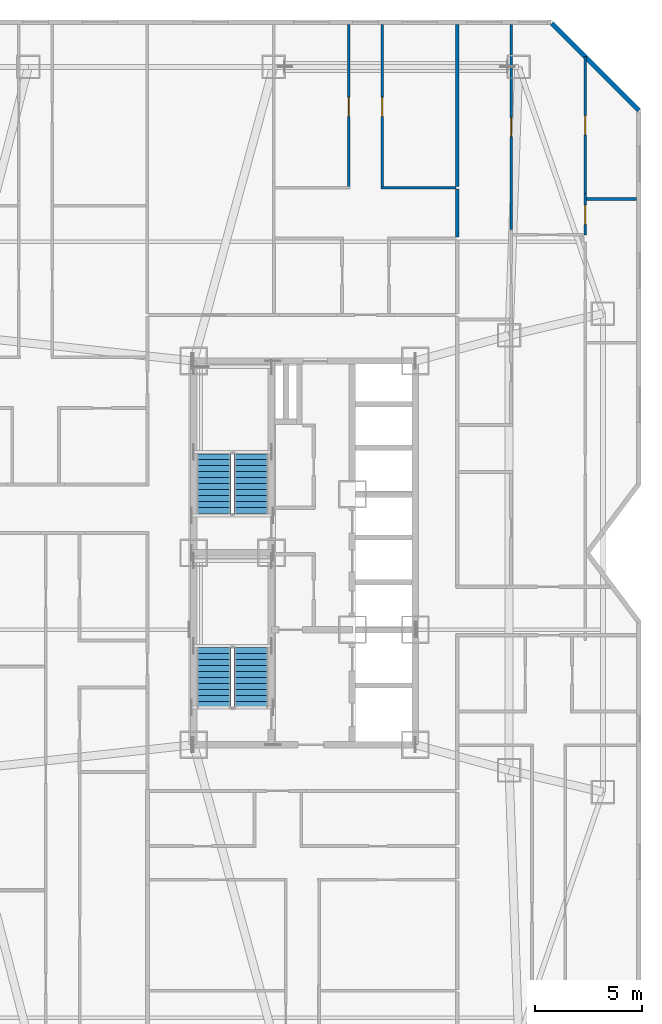
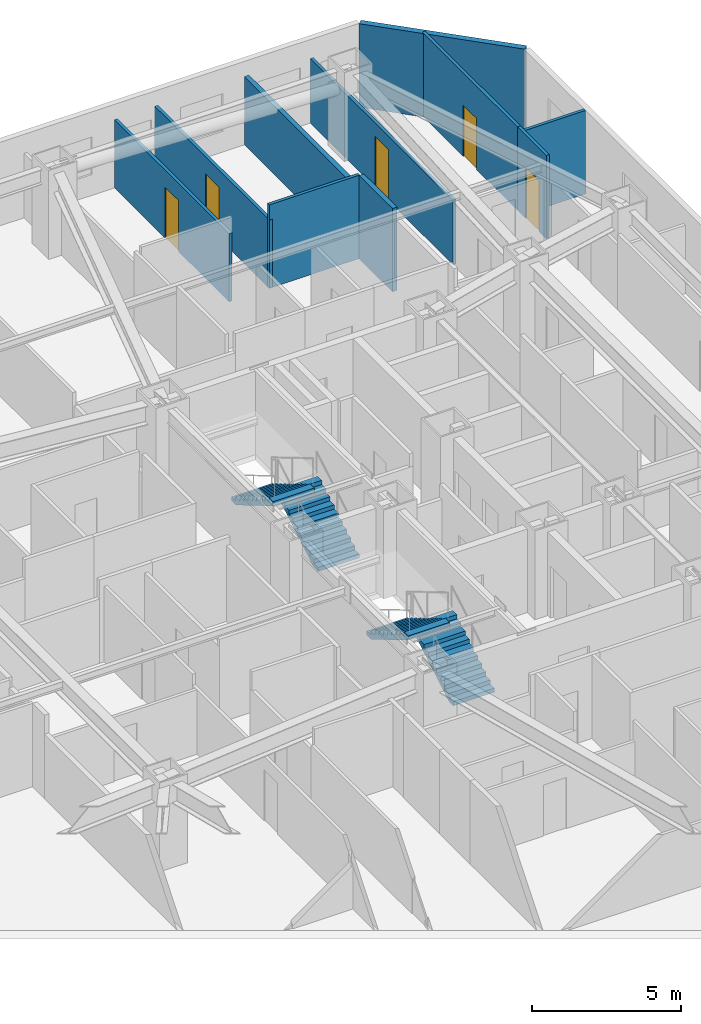
# One storey, part 17 of 18: 10 walls, 5 doors, 4 stair flights, 5 openings, 2 elements without a shape of their own.
"""IFC4 building model written with IfcOpenShell, lengths in metres."""

from ifc_helpers import new_model, si_unit, direction, frame, frame_2d, origin, place, context, subcontext, project, spatial, polyline, rectangle, outline, extrude, material, layer, layer_set, type_object, element, fill, aggregate, save


model = new_model("IFC4")

# Units and contexts
model_context = context("Model", 3, precision=1e-05, world=origin(), true_north=direction((0.0, 1.0)))
body_context = subcontext(model_context, "Body", "Model", "MODEL_VIEW")
ifc_project = project(units=[si_unit("LENGTHUNIT", "METRE"), si_unit("AREAUNIT", "SQUARE_METRE"), si_unit("VOLUMEUNIT", "CUBIC_METRE"), si_unit("PLANEANGLEUNIT", "RADIAN"), si_unit("MASSUNIT", "GRAM", prefix="KILO")], contexts=[model_context])

# Site, building, storey
site_placement = place(None, origin())
site = spatial("IfcSite", under=ifc_project, at=site_placement, CompositionType="ELEMENT")
building_placement = place(site_placement, origin())
building = spatial("IfcBuilding", under=site, at=building_placement, Name="Khamvora Tower", CompositionType="ELEMENT")
storey_placement = place(building_placement, frame((0.0, 0.0, 69.800048828125)))
storey = spatial("IfcBuildingStorey", under=building, at=storey_placement, Name="L17", CompositionType="ELEMENT", Elevation=69.800048828125)

# Walls
ifc_material_1 = material(Name="Acoustic Double-Stud Fire Wall", Category="gypsum")
ifc_layer_1 = layer(ifc_material_1, 0.179931640625)
ifc_layer_set_1 = layer_set([ifc_layer_1], Name="Acoustic Double-Stud Fire Wall")
wall_type_1 = type_object("IfcWallType", Name="WAL-CORR-180", PredefinedType="STANDARD", material=ifc_layer_set_1)
wall_1_placement = place(storey_placement, frame((41.364990234375, 45.06005859375, 0.0), z_axis=(0.0, 0.0, 1.0), x_axis=(0.0, -1.0, 0.0)))
element("IfcWall", 1, at=wall_1_placement, inside=storey, type_object=wall_type_1, Name="L17 interior partition wall 134", PredefinedType="STANDARD", context=body_context, shape_type="SweptSolid", body=[
    extrude(rectangle(XDim=2.25, YDim=0.179931640625, at=frame_2d((1.125, 0.0))), origin(), (0.0, 0.0, 1.0), 3.429931640625),
])
wall_2_placement = place(storey_placement, frame((41.364990234375, 52.7880859375, 0.0), z_axis=(0.0, 0.0, 1.0), x_axis=(0.0, -1.0, 0.0)))
element("IfcWall", 2, at=wall_2_placement, inside=storey, type_object=wall_type_1, Name="L17 interior partition wall 136", PredefinedType="STANDARD", context=body_context, shape_type="SweptSolid", body=[
    extrude(rectangle(XDim=7.59814453125, YDim=0.179931640625, at=frame_2d((3.799072265625, 0.0))), origin(), (0.0, 0.0, 1.0), 2.802978515625),
])
ifc_material_2 = material(Name="Precast concrete C40/50", Category="concrete")
ifc_layer_2 = layer(ifc_material_2, 0.219970703125)
ifc_layer_set_2 = layer_set([ifc_layer_2], Name="Precast concrete C40/50")
wall_type_2 = type_object("IfcWallType", Name="WAL-EXT-220", PredefinedType="STANDARD", material=ifc_layer_set_2)
wall_3_placement = place(storey_placement, frame((45.802001953125, 52.842041015625, 0.0), z_axis=(0.0, 0.0, 1.0), x_axis=(0.707085666273, -0.70712789547, 0.0)))
element("IfcWall", 3, at=wall_3_placement, inside=storey, type_object=wall_type_2, Name="L17 exterior facade wall 08.1", PredefinedType="STANDARD", context=body_context, shape_type="SweptSolid", body=[
    extrude(rectangle(XDim=5.78125, YDim=0.219970703125, at=frame_2d((2.890625, 0.0))), origin(), (0.0, 0.0, 1.0), 3.429931640625),
])

# Wall, opening, door
ifc_material_3 = material(Name="Gypsum Plasterboard Partition", Category="gypsum")
ifc_layer_3 = layer(ifc_material_3, 0.1201171875)
ifc_layer_set_3 = layer_set([ifc_layer_3], Name="Gypsum Plasterboard Partition")
wall_type_3 = type_object("IfcWallType", Name="WAL-PART-120", PredefinedType="PARTITIONING", material=ifc_layer_set_3)
wall_4_placement = place(storey_placement, frame((36.280029296875, 45.06005859375, 0.0), z_axis=(0.0, 0.0, 1.0), x_axis=(0.0, 1.0, 0.0)))
wall_4 = element("IfcWall", 4, at=wall_4_placement, inside=storey, type_object=wall_type_3, Name="L17 interior partition wall 131", PredefinedType="PARTITIONING", context=body_context, shape_type="SweptSolid", body=[
    extrude(rectangle(XDim=7.72802734375, YDim=0.1201171875, at=frame_2d((3.864013671875, 0.0))), origin(), (0.0, 0.0, 1.0), 2.802978515625),
])
opening_1_placement = place(wall_4_placement, frame((3.4140625, 0.0, 0.0)))
opening_1 = element("IfcOpeningElement", 5, at=opening_1_placement, cuts=wall_4, Name="Opening D-RM1", PredefinedType="OPENING", context=body_context, shape_type="SweptSolid", body=[
    extrude(rectangle(XDim=0.89990234375, YDim=2.10009765625, at=frame_2d((0.449951171875, 1.050048828125))), frame((0.0, 0.070068359375, 0.0), z_axis=(0.0, -1.0, 0.0), x_axis=(1.0, 0.0, 0.0)), (0.0, 0.0, 1.0), 0.14013671875),
])
ifc_material_4 = material(Name="Powder-Coated Steel and Hardwood Leaf", Category="steel")
door_type = type_object("IfcDoorType", Name="DOR-ROOM-900", OperationType="NOTDEFINED", PredefinedType="DOOR", material=ifc_material_4)
door_1_placement = place(opening_1_placement, origin())
door_1 = element("IfcDoor", 6, at=door_1_placement, inside=storey, type_object=door_type, Name="L17 interior door 17NAH-17NAL", OperationType="SINGLE_SWING_RIGHT", OverallHeight=2.10009765625, OverallWidth=0.89990234375, PredefinedType="DOOR", context=body_context, shape_type="SweptSolid", body=[
    extrude(rectangle(XDim=0.89990234375, YDim=2.10009765625, at=frame_2d((0.449951171875, 1.050048828125))), frame((0.0, 0.02490234375, 0.0), z_axis=(0.0, -1.0, 0.0), x_axis=(1.0, 0.0, 0.0)), (0.0, 0.0, 1.0), 0.050048828125),
])
fill(opening_1, door_1)

wall_5_placement = place(storey_placement, frame((37.85009765625, 52.7880859375, 0.0), z_axis=(0.0, 0.0, 1.0), x_axis=(0.0, -1.0, 0.0)))
wall_5 = element("IfcWall", 7, at=wall_5_placement, inside=storey, type_object=wall_type_3, Name="L17 interior partition wall 132", PredefinedType="PARTITIONING", context=body_context, shape_type="SweptSolid", body=[
    extrude(rectangle(XDim=7.72802734375, YDim=0.1201171875, at=frame_2d((3.864013671875, 0.0))), origin(), (0.0, 0.0, 1.0), 2.802978515625),
])
opening_2_placement = place(wall_5_placement, frame((3.4140625, 0.0, 0.0)))
opening_2 = element("IfcOpeningElement", 8, at=opening_2_placement, cuts=wall_5, Name="Opening D-RM1", PredefinedType="OPENING", context=body_context, shape_type="SweptSolid", body=[
    extrude(rectangle(XDim=0.89990234375, YDim=2.10009765625, at=frame_2d((0.449951171875, 1.050048828125))), frame((0.0, 0.070068359375, 0.0), z_axis=(0.0, -1.0, 0.0), x_axis=(1.0, 0.0, 0.0)), (0.0, 0.0, 1.0), 0.14013671875),
])
door_2_placement = place(opening_2_placement, origin())
door_2 = element("IfcDoor", 9, at=door_2_placement, inside=storey, type_object=door_type, Name="L17 interior door 17NAH-17NAR2", OperationType="SINGLE_SWING_LEFT", OverallHeight=2.10009765625, OverallWidth=0.89990234375, PredefinedType="DOOR", context=body_context, shape_type="SweptSolid", body=[
    extrude(rectangle(XDim=0.89990234375, YDim=2.10009765625, at=frame_2d((0.449951171875, 1.050048828125))), frame((0.0, 0.02490234375, 0.0), z_axis=(0.0, -1.0, 0.0), x_axis=(1.0, 0.0, 0.0)), (0.0, 0.0, 1.0), 0.050048828125),
])
fill(opening_2, door_2)

# Wall
wall_6_placement = place(storey_placement, frame((37.784912109375, 45.125, 0.0), z_axis=(0.0, 0.0, 1.0), x_axis=(1.0, 0.0, 0.0)))
element("IfcWall", 10, at=wall_6_placement, inside=storey, type_object=wall_type_3, Name="L17 interior partition wall 133", PredefinedType="PARTITIONING", context=body_context, shape_type="SweptSolid", body=[
    extrude(rectangle(XDim=3.51513671875, YDim=0.1201171875, at=frame_2d((1.757568359375, 0.0))), origin(), (0.0, 0.0, 1.0), 3.429931640625),
])

# Wall, opening, door
wall_7_placement = place(storey_placement, frame((43.89501953125, 52.7880859375, 0.0), z_axis=(0.0, 0.0, 1.0), x_axis=(0.0, -1.0, 0.0)))
wall_7 = element("IfcWall", 11, at=wall_7_placement, inside=storey, type_object=wall_type_3, Name="L17 interior partition wall 146", PredefinedType="PARTITIONING", context=body_context, shape_type="SweptSolid", body=[
    extrude(rectangle(XDim=9.6201171875, YDim=0.1201171875, at=frame_2d((4.81005859375, 0.0))), origin(), (0.0, 0.0, 1.0), 2.64697265625),
])
opening_3_placement = place(wall_7_placement, frame((4.360107421875, 0.0, 0.0)))
opening_3 = element("IfcOpeningElement", 12, at=opening_3_placement, cuts=wall_7, Name="Opening D-RM1", PredefinedType="OPENING", context=body_context, shape_type="SweptSolid", body=[
    extrude(rectangle(XDim=0.89990234375, YDim=2.10009765625, at=frame_2d((0.449951171875, 1.050048828125))), frame((0.0, 0.070068359375, 0.0), z_axis=(0.0, -1.0, 0.0), x_axis=(1.0, 0.0, 0.0)), (0.0, 0.0, 1.0), 0.14013671875),
])
door_3_placement = place(opening_3_placement, origin())
door_3 = element("IfcDoor", 13, at=door_3_placement, inside=storey, type_object=door_type, Name="L17 interior door 17EBW2-17EBD", OperationType="SINGLE_SWING_LEFT", OverallHeight=2.10009765625, OverallWidth=0.89990234375, PredefinedType="DOOR", context=body_context, shape_type="SweptSolid", body=[
    extrude(rectangle(XDim=0.89990234375, YDim=2.10009765625, at=frame_2d((0.449951171875, 1.050048828125))), frame((0.0, 0.02490234375, 0.0), z_axis=(0.0, -1.0, 0.0), x_axis=(1.0, 0.0, 0.0)), (0.0, 0.0, 1.0), 0.050048828125),
])
fill(opening_3, door_3)

wall_8_placement = place(storey_placement, frame((47.375, 44.85205078125, 0.0), z_axis=(0.0, 0.0, 1.0), x_axis=(0.0, -1.0, 0.0)))
wall_8 = element("IfcWall", 14, at=wall_8_placement, inside=storey, type_object=wall_type_3, Name="L17 interior partition wall 156", PredefinedType="PARTITIONING", context=body_context, shape_type="SweptSolid", body=[
    extrude(rectangle(XDim=1.93310546875, YDim=0.1201171875, at=frame_2d((0.966552734375, 0.0))), origin(), (0.0, 0.0, 1.0), 3.429931640625),
])
opening_4_placement = place(wall_8_placement, frame((0.5380859375, 0.0, 0.0)))
opening_4 = element("IfcOpeningElement", 15, at=opening_4_placement, cuts=wall_8, Name="Opening D-RM1", PredefinedType="OPENING", context=body_context, shape_type="SweptSolid", body=[
    extrude(rectangle(XDim=0.89990234375, YDim=2.10009765625, at=frame_2d((0.449951171875, 1.050048828125))), frame((0.0, 0.070068359375, 0.0), z_axis=(0.0, -1.0, 0.0), x_axis=(1.0, 0.0, 0.0)), (0.0, 0.0, 1.0), 0.14013671875),
])
door_4_placement = place(opening_4_placement, origin())
door_4 = element("IfcDoor", 16, at=door_4_placement, inside=storey, type_object=door_type, Name="L17 interior door 17EBD-17EBR2", OperationType="SINGLE_SWING_LEFT", OverallHeight=2.10009765625, OverallWidth=0.89990234375, PredefinedType="DOOR", context=body_context, shape_type="SweptSolid", body=[
    extrude(rectangle(XDim=0.89990234375, YDim=2.10009765625, at=frame_2d((0.449951171875, 1.050048828125))), frame((0.0, 0.02490234375, 0.0), z_axis=(0.0, -1.0, 0.0), x_axis=(1.0, 0.0, 0.0)), (0.0, 0.0, 1.0), 0.050048828125),
])
fill(opening_4, door_4)

wall_9_placement = place(storey_placement, frame((47.375, 51.278076171875, 0.0), z_axis=(0.0, 0.0, 1.0), x_axis=(0.0, -1.0, 0.0)))
wall_9 = element("IfcWall", 17, at=wall_9_placement, inside=storey, type_object=wall_type_3, Name="L17 interior partition wall 157", PredefinedType="PARTITIONING", context=body_context, shape_type="SweptSolid", body=[
    extrude(rectangle(XDim=6.426025390625, YDim=0.1201171875, at=frame_2d((3.212890625, 0.0))), origin(), (0.0, 0.0, 1.0), 3.429931640625),
])
opening_5_placement = place(wall_9_placement, frame((2.762939453125, 0.0, 0.0)))
opening_5 = element("IfcOpeningElement", 18, at=opening_5_placement, cuts=wall_9, Name="Opening D-RM1", PredefinedType="OPENING", context=body_context, shape_type="SweptSolid", body=[
    extrude(rectangle(XDim=0.89990234375, YDim=2.10009765625, at=frame_2d((0.449951171875, 1.050048828125))), frame((0.0, 0.070068359375, 0.0), z_axis=(0.0, -1.0, 0.0), x_axis=(1.0, 0.0, 0.0)), (0.0, 0.0, 1.0), 0.14013671875),
])
door_5_placement = place(opening_5_placement, origin())
door_5 = element("IfcDoor", 19, at=door_5_placement, inside=storey, type_object=door_type, Name="L17 interior door 17EBD-17EBR3", OperationType="SINGLE_SWING_RIGHT", OverallHeight=2.10009765625, OverallWidth=0.89990234375, PredefinedType="DOOR", context=body_context, shape_type="SweptSolid", body=[
    extrude(rectangle(XDim=0.89990234375, YDim=2.10009765625, at=frame_2d((0.449951171875, 1.050048828125))), frame((0.0, 0.02490234375, 0.0), z_axis=(0.0, -1.0, 0.0), x_axis=(1.0, 0.0, 0.0)), (0.0, 0.0, 1.0), 0.050048828125),
])
fill(opening_5, door_5)

# Wall
wall_10_placement = place(storey_placement, frame((47.428955078125, 44.60302734375, 0.0), z_axis=(0.0, 0.0, 1.0), x_axis=(1.0, 0.0, 0.0)))
element("IfcWall", 20, at=wall_10_placement, inside=storey, type_object=wall_type_3, Name="L17 interior partition wall 159", PredefinedType="PARTITIONING", context=body_context, shape_type="SweptSolid", body=[
    extrude(rectangle(XDim=2.359130859375, YDim=0.1201171875, at=frame_2d((1.1796875, 0.0))), origin(), (0.0, 0.0, 1.0), 3.429931640625),
])

# Stair, stair flights
ifc_material_5 = material(Name="Concrete C40/50", Category="concrete")
stair_type_1 = type_object("IfcStairType", Name="STR-ST-01", PredefinedType="HALF_TURN_STAIR", material=ifc_material_5)
stair_1_placement = place(storey_placement, origin())
stair_1 = element("IfcStair", 21, at=stair_1_placement, inside=storey, type_object=stair_type_1, Name="L17 South Tower Exit Stair ST-01", PredefinedType="HALF_TURN_STAIR")
stair_flight_type_1 = type_object("IfcStairFlightType", Name="STF-ST-01", PredefinedType="STRAIGHT", material=ifc_material_5)
stair_flight_1_placement = place(storey_placement, frame((31.699951171875, 20.75, 0.0), z_axis=(0.0, 0.0, 1.0), x_axis=(0.0, 1.0, 0.0)))
stair_flight_1 = element("IfcStairFlight", 22, at=stair_flight_1_placement, type_object=stair_flight_type_1, Name="ST-01 flight 1", NumberOfRisers=11, NumberOfTreads=10, PredefinedType="STRAIGHT", RiserHeight=0.165909091, TreadLength=0.28, context=body_context, shape_type="SweptSolid", body=[
    extrude(outline(polyline([(0.0, 0.0), (0.0, 0.166015625), (0.280029296875, 0.166015625), (0.280029296875, 0.331787109375), (0.56005859375, 0.331787109375), (0.56005859375, 0.497802734375), (0.840087890625, 0.497802734375), (0.840087890625, 0.66357421875), (1.1201171875, 0.66357421875), (1.1201171875, 0.82958984375), (1.39990234375, 0.82958984375), (1.39990234375, 0.995361328125), (1.679931640625, 0.995361328125), (1.679931640625, 1.161376953125), (1.9599609375, 1.161376953125), (1.9599609375, 1.327392578125), (2.239990234375, 1.327392578125), (2.239990234375, 1.4931640625), (2.52001953125, 1.4931640625), (2.52001953125, 1.6591796875), (2.800048828125, 1.6591796875), (2.800048828125, 1.824951171875), (2.800048828125, 1.48486328125), (0.2939453125, 0.0), (0.0, 0.0)])), frame((0.0, 0.800048828125, 0.0), z_axis=(0.0, -1.0, 0.0), x_axis=(1.0, 0.0, 0.0)), (0.0, 0.0, 1.0), 1.60009765625),
])
stair_flight_2_placement = place(storey_placement, frame((29.949951171875, 23.550048828125, 1.824951171875), z_axis=(0.0, 0.0, 1.0), x_axis=(0.0, -1.0, 0.0)))
stair_flight_2 = element("IfcStairFlight", 23, at=stair_flight_2_placement, type_object=stair_flight_type_1, Name="ST-01 flight 2", NumberOfRisers=11, NumberOfTreads=10, PredefinedType="STRAIGHT", RiserHeight=0.165909091, TreadLength=0.28, context=body_context, shape_type="SweptSolid", body=[
    extrude(outline(polyline([(0.0, 0.0), (0.0, 0.166015625), (0.280029296875, 0.166015625), (0.280029296875, 0.331787109375), (0.56005859375, 0.331787109375), (0.56005859375, 0.497802734375), (0.840087890625, 0.497802734375), (0.840087890625, 0.66357421875), (1.1201171875, 0.66357421875), (1.1201171875, 0.82958984375), (1.39990234375, 0.82958984375), (1.39990234375, 0.995361328125), (1.679931640625, 0.995361328125), (1.679931640625, 1.161376953125), (1.9599609375, 1.161376953125), (1.9599609375, 1.327392578125), (2.239990234375, 1.327392578125), (2.239990234375, 1.4931640625), (2.52001953125, 1.4931640625), (2.52001953125, 1.6591796875), (2.800048828125, 1.6591796875), (2.800048828125, 1.824951171875), (2.800048828125, 1.48486328125), (0.2939453125, 0.0), (0.0, 0.0)])), frame((0.0, 0.800048828125, 0.0), z_axis=(0.0, -1.0, 0.0), x_axis=(1.0, 0.0, 0.0)), (0.0, 0.0, 1.0), 1.60009765625),
])
aggregate(stair_1, [stair_flight_1, stair_flight_2])

stair_type_2 = type_object("IfcStairType", Name="STR-ST-02", PredefinedType="HALF_TURN_STAIR", material=ifc_material_5)
stair_2_placement = place(storey_placement, origin())
stair_2 = element("IfcStair", 24, at=stair_2_placement, inside=storey, type_object=stair_type_2, Name="L17 North Tower Exit Stair ST-02", PredefinedType="HALF_TURN_STAIR")
stair_flight_type_2 = type_object("IfcStairFlightType", Name="STF-ST-02", PredefinedType="STRAIGHT", material=ifc_material_5)
stair_flight_3_placement = place(storey_placement, frame((31.699951171875, 29.85009765625, 0.0), z_axis=(0.0, 0.0, 1.0), x_axis=(0.0, 1.0, 0.0)))
stair_flight_3 = element("IfcStairFlight", 25, at=stair_flight_3_placement, type_object=stair_flight_type_2, Name="ST-02 flight 1", NumberOfRisers=11, NumberOfTreads=10, PredefinedType="STRAIGHT", RiserHeight=0.165909091, TreadLength=0.28, context=body_context, shape_type="SweptSolid", body=[
    extrude(outline(polyline([(0.0, 0.0), (0.0, 0.166015625), (0.280029296875, 0.166015625), (0.280029296875, 0.331787109375), (0.56005859375, 0.331787109375), (0.56005859375, 0.497802734375), (0.840087890625, 0.497802734375), (0.840087890625, 0.66357421875), (1.1201171875, 0.66357421875), (1.1201171875, 0.82958984375), (1.39990234375, 0.82958984375), (1.39990234375, 0.995361328125), (1.679931640625, 0.995361328125), (1.679931640625, 1.161376953125), (1.9599609375, 1.161376953125), (1.9599609375, 1.327392578125), (2.239990234375, 1.327392578125), (2.239990234375, 1.4931640625), (2.52001953125, 1.4931640625), (2.52001953125, 1.6591796875), (2.800048828125, 1.6591796875), (2.800048828125, 1.824951171875), (2.800048828125, 1.48486328125), (0.2939453125, 0.0), (0.0, 0.0)])), frame((0.0, 0.800048828125, 0.0), z_axis=(0.0, -1.0, 0.0), x_axis=(1.0, 0.0, 0.0)), (0.0, 0.0, 1.0), 1.60009765625),
])
stair_flight_4_placement = place(storey_placement, frame((29.949951171875, 32.64990234375, 1.824951171875), z_axis=(0.0, 0.0, 1.0), x_axis=(0.0, -1.0, 0.0)))
stair_flight_4 = element("IfcStairFlight", 26, at=stair_flight_4_placement, type_object=stair_flight_type_2, Name="ST-02 flight 2", NumberOfRisers=11, NumberOfTreads=10, PredefinedType="STRAIGHT", RiserHeight=0.165909091, TreadLength=0.28, context=body_context, shape_type="SweptSolid", body=[
    extrude(outline(polyline([(0.0, 0.0), (0.0, 0.166015625), (0.280029296875, 0.166015625), (0.280029296875, 0.331787109375), (0.56005859375, 0.331787109375), (0.56005859375, 0.497802734375), (0.840087890625, 0.497802734375), (0.840087890625, 0.66357421875), (1.1201171875, 0.66357421875), (1.1201171875, 0.82958984375), (1.39990234375, 0.82958984375), (1.39990234375, 0.995361328125), (1.679931640625, 0.995361328125), (1.679931640625, 1.161376953125), (1.9599609375, 1.161376953125), (1.9599609375, 1.327392578125), (2.239990234375, 1.327392578125), (2.239990234375, 1.4931640625), (2.52001953125, 1.4931640625), (2.52001953125, 1.6591796875), (2.800048828125, 1.6591796875), (2.800048828125, 1.824951171875), (2.800048828125, 1.48486328125), (0.2939453125, 0.0), (0.0, 0.0)])), frame((0.0, 0.800048828125, 0.0), z_axis=(0.0, -1.0, 0.0), x_axis=(1.0, 0.0, 0.0)), (0.0, 0.0, 1.0), 1.60009765625),
])
aggregate(stair_2, [stair_flight_3, stair_flight_4])

save(model, "model.ifc")
